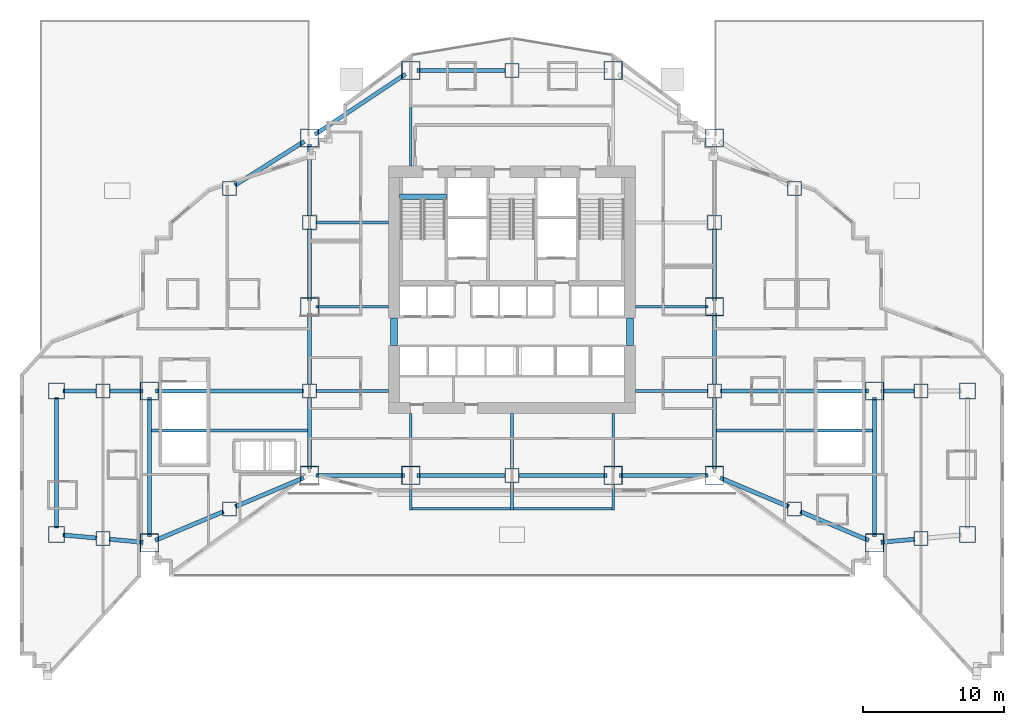
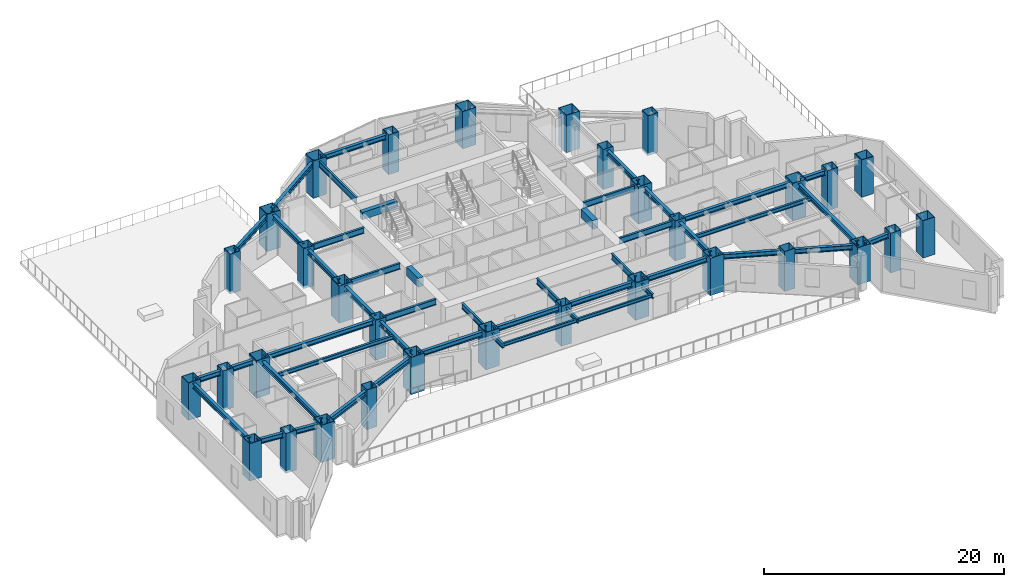
# One storey, part 1 of 20: 48 beams, 32 columns.
"""IFC4 building model written with IfcOpenShell, lengths in metres."""

from ifc_helpers import new_model, si_unit, direction, frame, origin, origin_2d, place, context, subcontext, project, spatial, rectangle, hollow_rectangle, i_section, extrude, material, material_profile, profile_set, type_object, element, save


model = new_model("IFC4")

# Units and contexts
model_context = context("Model", 3, precision=1e-05, world=origin(), true_north=direction((0.0, 1.0)))
body_context = subcontext(model_context, "Body", "Model", "MODEL_VIEW")
ifc_project = project(units=[si_unit("LENGTHUNIT", "METRE"), si_unit("AREAUNIT", "SQUARE_METRE"), si_unit("VOLUMEUNIT", "CUBIC_METRE"), si_unit("PLANEANGLEUNIT", "RADIAN"), si_unit("MASSUNIT", "GRAM", prefix="KILO")], contexts=[model_context])

# Site, building, storey
site_placement = place(None, origin())
site = spatial("IfcSite", under=ifc_project, at=site_placement, CompositionType="ELEMENT")
building_placement = place(site_placement, origin())
building = spatial("IfcBuilding", under=site, at=building_placement, Name="Haolan Belvedere Tower", CompositionType="ELEMENT")
storey_placement = place(building_placement, frame((0.0, 0.0, 24.0)))
storey = spatial("IfcBuildingStorey", under=building, at=storey_placement, Name="L05", CompositionType="ELEMENT", Elevation=24.0)

# Columns
ifc_material_1 = material(Name="Steel Q420GJC", Category="steel")
ifc_material_profile_1 = material_profile(ifc_material_1, hollow_rectangle(XDim=1.0, YDim=1.0, WallThickness=0.0380859375, at=origin_2d()), Name="Steel Q420GJC")
ifc_profile_set_1 = profile_set([ifc_material_profile_1], Name="Steel Q420GJC")
column_type_1 = type_object("IfcColumnType", Name="COL-BOX1000x1000x38", PredefinedType="COLUMN", material=ifc_profile_set_1)
for number, where, z_axis, x_axis, name in (
    (1, (24.0, 27.60009765625, -0.260009765625), (0.0, 0.0, 1.0), (1.0, 0.0, 0.0), "L05 column TC-T3-W1 (BOX1000x1000x38)"),
    (2, (24.0, 39.60009765625, -0.260009765625), (0.0, 0.0, 1.0), (1.0, 0.0, 0.0), "L05 column TC-T3-W2 (BOX1000x1000x38)"),
    (3, (52.800048828125, 27.60009765625, -0.260009765625), (0.0, 0.0, 1.0), (1.0, 0.0, 0.0), "L05 column TC-T3-E1 (BOX1000x1000x38)"),
    (4, (52.800048828125, 39.60009765625, -0.260009765625), (0.0, 0.0, 1.0), (1.0, 0.0, 0.0), "L05 column TC-T3-E2 (BOX1000x1000x38)"),
    (5, (38.39990234375, 21.60009765625, -0.260009765625), (0.0, 0.0, 1.0), (1.0, 0.0, 0.0), "L05 column TC-T3-SM (BOX1000x1000x38)"),
    (6, (38.39990234375, 50.39990234375, -0.260009765625), (0.0, 0.0, 1.0), (1.0, 0.0, 0.0), "L05 column TC-T3-NM (BOX1000x1000x38)"),
    (7, (18.300048828125, 19.199951171875, -0.260009765625), (0.0, 0.0, 1.0), (1.0, 0.0, 0.0), "L05 column TC-T2-S1 (BOX1000x1000x38)"),
    (8, (18.300048828125, 42.0, -0.260009765625), (0.0, 0.0, 1.0), (1.0, 0.0, 0.0), "L05 column TC-T2-N1 (BOX1000x1000x38)"),
    (9, (58.5, 19.199951171875, -0.260009765625), (0.0, 0.0, 1.0), (1.0, 0.0, 0.0), "L05 column TC-T4-S1 (BOX1000x1000x38)"),
    (10, (58.5, 42.0, -0.260009765625), (0.0, 0.0, 1.0), (1.0, 0.0, 0.0), "L05 column TC-T4-N1 (BOX1000x1000x38)"),
    (11, (9.300048828125, 17.10009765625, -0.260009765625), (0.0, 0.0, 1.0), (1.0, 0.0, 0.0), "L05 column TC-T1-M1 (BOX1000x1000x38)"),
    (12, (9.300048828125, 27.60009765625, -0.260009765625), (0.0, 0.0, 1.0), (1.0, 0.0, 0.0), "L05 column TC-T1-M2 (BOX1000x1000x38)"),
    (13, (67.5, 17.10009765625, -0.260009765625), (0.0, 0.0, 1.0), (1.0, 0.0, 0.0), "L05 column TC-T5-M1 (BOX1000x1000x38)"),
    (14, (67.5, 27.60009765625, -0.260009765625), (0.0, 0.0, 1.0), (1.0, 0.0, 0.0), "L05 column TC-T5-M2 (BOX1000x1000x38)"),
):
    element("IfcColumn", number, at=place(storey_placement, frame(where, z_axis=z_axis, x_axis=x_axis)), inside=storey, type_object=column_type_1, Name=name, PredefinedType="COLUMN", context=body_context, shape_type="SweptSolid", body=[
        extrude(hollow_rectangle(XDim=1.0, YDim=1.0, WallThickness=0.0380859375, at=origin_2d()), origin(), (0.0, 0.0, 1.0), 4.06005859375),
    ])
ifc_material_2 = material(Name="Steel Q355B", Category="steel")
ifc_material_profile_2 = material_profile(ifc_material_2, hollow_rectangle(XDim=1.14990234375, YDim=1.14990234375, WallThickness=0.0419921875, at=origin_2d()), Name="Steel Q355B")
ifc_profile_set_2 = profile_set([ifc_material_profile_2], Name="Steel Q355B")
column_type_2 = type_object("IfcColumnType", Name="COL-BOX1150x1150x42", PredefinedType="COLUMN", material=ifc_profile_set_2)
for number, where, z_axis, x_axis, name in (
    (15, (6.0, 17.39990234375, 0.0), (0.0, 0.0, 1.0), (1.0, 0.0, 0.0), "L05 column MC-T1-SW (BOX1150x1150x42)"),
    (16, (6.0, 27.60009765625, 0.0), (0.0, 0.0, 1.0), (1.0, 0.0, 0.0), "L05 column MC-T1-NW (BOX1150x1150x42)"),
    (17, (70.800048828125, 17.39990234375, 0.0), (0.0, 0.0, 1.0), (1.0, 0.0, 0.0), "L05 column MC-T5-SE (BOX1150x1150x42)"),
    (18, (70.800048828125, 27.60009765625, 0.0), (0.0, 0.0, 1.0), (1.0, 0.0, 0.0), "L05 column MC-T5-NE (BOX1150x1150x42)"),
):
    element("IfcColumn", number, at=place(storey_placement, frame(where, z_axis=z_axis, x_axis=x_axis)), inside=storey, type_object=column_type_2, Name=name, PredefinedType="COLUMN", context=body_context, shape_type="SweptSolid", body=[
        extrude(hollow_rectangle(XDim=1.14990234375, YDim=1.14990234375, WallThickness=0.0419921875, at=origin_2d()), origin(), (0.0, 0.0, 1.0), 3.800048828125),
    ])
ifc_material_profile_3 = material_profile(ifc_material_2, hollow_rectangle(XDim=1.300048828125, YDim=1.300048828125, WallThickness=0.048095703125, at=origin_2d()), Name="Steel Q355B")
ifc_profile_set_3 = profile_set([ifc_material_profile_3], Name="Steel Q355B")
column_type_3 = type_object("IfcColumnType", Name="COL-BOX1300x1300x48", PredefinedType="COLUMN", material=ifc_profile_set_3)
for number, where, z_axis, x_axis, name in (
    (19, (24.0, 21.60009765625, 0.0), (0.0, 0.0, 1.0), (1.0, 0.0, 0.0), "L05 column MC-T3-SW (BOX1300x1300x48)"),
    (20, (24.0, 33.60009765625, 0.0), (0.0, 0.0, 1.0), (1.0, 0.0, 0.0), "L05 column MC-T3-MW (BOX1300x1300x48)"),
    (21, (24.0, 45.60009765625, 0.0), (0.0, 0.0, 1.0), (1.0, 0.0, 0.0), "L05 column MC-T3-NW (BOX1300x1300x48)"),
    (22, (52.800048828125, 21.60009765625, 0.0), (0.0, 0.0, 1.0), (1.0, 0.0, 0.0), "L05 column MC-T3-SE (BOX1300x1300x48)"),
    (23, (52.800048828125, 33.60009765625, 0.0), (0.0, 0.0, 1.0), (1.0, 0.0, 0.0), "L05 column MC-T3-ME (BOX1300x1300x48)"),
    (24, (52.800048828125, 45.60009765625, 0.0), (0.0, 0.0, 1.0), (1.0, 0.0, 0.0), "L05 column MC-T3-NE (BOX1300x1300x48)"),
    (25, (31.199951171875, 21.60009765625, 0.0), (0.0, 0.0, 1.0), (1.0, 0.0, 0.0), "L05 column MC-T3-S1 (BOX1300x1300x48)"),
    (26, (45.60009765625, 21.60009765625, 0.0), (0.0, 0.0, 1.0), (1.0, 0.0, 0.0), "L05 column MC-T3-S2 (BOX1300x1300x48)"),
    (27, (31.199951171875, 50.39990234375, 0.0), (0.0, 0.0, 1.0), (1.0, 0.0, 0.0), "L05 column MC-T3-N1 (BOX1300x1300x48)"),
    (28, (45.60009765625, 50.39990234375, 0.0), (0.0, 0.0, 1.0), (1.0, 0.0, 0.0), "L05 column MC-T3-N2 (BOX1300x1300x48)"),
    (29, (12.60009765625, 16.800048828125, 0.0), (0.0, 0.0, 1.0), (1.0, 0.0, 0.0), "L05 column MC-T2-SW (BOX1300x1300x48)"),
    (30, (12.60009765625, 27.60009765625, 0.0), (0.0, 0.0, 1.0), (1.0, 0.0, 0.0), "L05 column MC-T2-MW (BOX1300x1300x48)"),
    (31, (64.199951171875, 16.800048828125, 0.0), (0.0, 0.0, 1.0), (1.0, 0.0, 0.0), "L05 column MC-T4-SE (BOX1300x1300x48)"),
    (32, (64.199951171875, 27.60009765625, 0.0), (0.0, 0.0, 1.0), (1.0, 0.0, 0.0), "L05 column MC-T4-ME (BOX1300x1300x48)"),
):
    element("IfcColumn", number, at=place(storey_placement, frame(where, z_axis=z_axis, x_axis=x_axis)), inside=storey, type_object=column_type_3, Name=name, PredefinedType="COLUMN", context=body_context, shape_type="SweptSolid", body=[
        extrude(hollow_rectangle(XDim=1.300048828125, YDim=1.300048828125, WallThickness=0.048095703125, at=origin_2d()), origin(), (0.0, 0.0, 1.0), 3.800048828125),
    ])

# Beams
ifc_material_profile_4 = material_profile(ifc_material_2, i_section(OverallWidth=0.300048828125, OverallDepth=0.488037109375, WebThickness=0.010986328125, FlangeThickness=0.01806640625, FilletRadius=0.02587890625, at=origin_2d()), Name="Steel Q355B")
ifc_profile_set_4 = profile_set([ifc_material_profile_4], Name="Steel Q355B")
beam_type_1 = type_object("IfcBeamType", Name="BM-HM488x300x11x18", PredefinedType="SPANDREL", material=ifc_profile_set_4)
for number, where, z_axis, x_axis, name in (
    (33, (24.0, 22.050048828125, 3.35595703125), (0.0, 1.0, 0.0), (-1.0, 0.0, 0.0), "L05 spandrel girder MC-T3-SW-TC-T3-W1"),
    (34, (24.0, 28.050048828125, 3.35595703125), (0.0, 1.0, 0.0), (-1.0, 0.0, 0.0), "L05 spandrel girder TC-T3-W1-MC-T3-MW"),
    (35, (24.0, 34.050048828125, 3.35595703125), (0.0, 1.0, 0.0), (-1.0, 0.0, 0.0), "L05 spandrel girder MC-T3-MW-TC-T3-W2"),
    (36, (24.0, 40.050048828125, 3.35595703125), (0.0, 1.0, 0.0), (-1.0, 0.0, 0.0), "L05 spandrel girder TC-T3-W2-MC-T3-NW"),
    (37, (52.800048828125, 22.050048828125, 3.35595703125), (0.0, 1.0, 0.0), (-1.0, 0.0, 0.0), "L05 spandrel girder MC-T3-SE-TC-T3-E1"),
    (38, (52.800048828125, 28.050048828125, 3.35595703125), (0.0, 1.0, 0.0), (-1.0, 0.0, 0.0), "L05 spandrel girder TC-T3-E1-MC-T3-ME"),
    (39, (52.800048828125, 34.050048828125, 3.35595703125), (0.0, 1.0, 0.0), (-1.0, 0.0, 0.0), "L05 spandrel girder MC-T3-ME-TC-T3-E2"),
):
    element("IfcBeam", number, at=place(storey_placement, frame(where, z_axis=z_axis, x_axis=x_axis)), inside=storey, type_object=beam_type_1, Name=name, PredefinedType="SPANDREL", context=body_context, shape_type="SweptSolid", body=[
        extrude(i_section(OverallWidth=0.300048828125, OverallDepth=0.488037109375, WebThickness=0.010986328125, FlangeThickness=0.01806640625, FilletRadius=0.02587890625, at=origin_2d()), origin(), (0.0, 0.0, 1.0), 5.099853515625),
    ])
for number, where, z_axis, x_axis, name in (
    (40, (24.449951171875, 21.60009765625, 3.35595703125), (1.0, 0.0, 0.0), (0.0, 1.0, 0.0), "L05 spandrel girder MC-T3-SW-MC-T3-S1"),
    (41, (31.64990234375, 21.60009765625, 3.35595703125), (1.0, 0.0, 0.0), (0.0, 1.0, 0.0), "L05 spandrel girder MC-T3-S1-TC-T3-SM"),
):
    element("IfcBeam", number, at=place(storey_placement, frame(where, z_axis=z_axis, x_axis=x_axis)), inside=storey, type_object=beam_type_1, Name=name, PredefinedType="SPANDREL", context=body_context, shape_type="SweptSolid", body=[
        extrude(i_section(OverallWidth=0.300048828125, OverallDepth=0.488037109375, WebThickness=0.010986328125, FlangeThickness=0.01806640625, FilletRadius=0.02587890625, at=origin_2d()), origin(), (0.0, 0.0, 1.0), 6.300048828125),
    ])
beam_1_placement = place(storey_placement, frame((38.85009765625, 21.60009765625, 3.35595703125), z_axis=(1.0, 0.0, 0.0), x_axis=(0.0, 1.0, 0.0)))
element("IfcBeam", 42, at=beam_1_placement, inside=storey, type_object=beam_type_1, Name="L05 spandrel girder TC-T3-SM-MC-T3-S2", PredefinedType="SPANDREL", context=body_context, shape_type="SweptSolid", body=[
    extrude(i_section(OverallWidth=0.300048828125, OverallDepth=0.488037109375, WebThickness=0.010986328125, FlangeThickness=0.01806640625, FilletRadius=0.02587890625, at=origin_2d()), origin(), (0.0, 0.0, 1.0), 6.2998046875),
])
beam_2_placement = place(storey_placement, frame((46.050048828125, 21.60009765625, 3.35595703125), z_axis=(1.0, 0.0, 0.0), x_axis=(0.0, 1.0, 0.0)))
element("IfcBeam", 43, at=beam_2_placement, inside=storey, type_object=beam_type_1, Name="L05 spandrel girder MC-T3-S2-MC-T3-SE", PredefinedType="SPANDREL", context=body_context, shape_type="SweptSolid", body=[
    extrude(i_section(OverallWidth=0.300048828125, OverallDepth=0.488037109375, WebThickness=0.010986328125, FlangeThickness=0.01806640625, FilletRadius=0.02587890625, at=origin_2d()), origin(), (0.0, 0.0, 1.0), 6.300048828125),
])
beam_3_placement = place(storey_placement, frame((24.37451171875, 45.849609375, 3.35595703125), z_axis=(0.832050294338, 0.554700196225, 0.0), x_axis=(-0.554700196225, 0.832050294338, 0.0)))
element("IfcBeam", 44, at=beam_3_placement, inside=storey, type_object=beam_type_1, Name="L05 spandrel girder MC-T3-NW-MC-T3-N1", PredefinedType="SPANDREL", context=body_context, shape_type="SweptSolid", body=[
    extrude(i_section(OverallWidth=0.300048828125, OverallDepth=0.488037109375, WebThickness=0.010986328125, FlangeThickness=0.01806640625, FilletRadius=0.02587890625, at=origin_2d()), origin(), (0.0, 0.0, 1.0), 7.75341796875),
])
beam_4_placement = place(storey_placement, frame((31.64990234375, 50.39990234375, 3.35595703125), z_axis=(1.0, 0.0, 0.0), x_axis=(0.0, 1.0, 0.0)))
element("IfcBeam", 45, at=beam_4_placement, inside=storey, type_object=beam_type_1, Name="L05 spandrel girder MC-T3-N1-TC-T3-NM", PredefinedType="SPANDREL", context=body_context, shape_type="SweptSolid", body=[
    extrude(i_section(OverallWidth=0.300048828125, OverallDepth=0.488037109375, WebThickness=0.010986328125, FlangeThickness=0.01806640625, FilletRadius=0.02587890625, at=origin_2d()), origin(), (0.0, 0.0, 1.0), 6.300048828125),
])
beam_5_placement = place(storey_placement, frame((12.60009765625, 17.25, 3.35595703125), z_axis=(0.0, 1.0, 0.0), x_axis=(-1.0, 0.0, 0.0)))
element("IfcBeam", 46, at=beam_5_placement, inside=storey, type_object=beam_type_1, Name="L05 spandrel girder MC-T2-SW-MC-T2-MW", PredefinedType="SPANDREL", context=body_context, shape_type="SweptSolid", body=[
    extrude(i_section(OverallWidth=0.300048828125, OverallDepth=0.488037109375, WebThickness=0.010986328125, FlangeThickness=0.01806640625, FilletRadius=0.02587890625, at=origin_2d()), origin(), (0.0, 0.0, 1.0), 9.89990234375),
])
beam_6_placement = place(storey_placement, frame((13.0146484375, 16.974609375, 3.35595703125), z_axis=(0.921635375138, 0.388057000058, 0.0), x_axis=(-0.388057000058, 0.921635375138, 0.0)))
element("IfcBeam", 47, at=beam_6_placement, inside=storey, type_object=beam_type_1, Name="L05 spandrel girder MC-T2-SW-TC-T2-S1", PredefinedType="SPANDREL", context=body_context, shape_type="SweptSolid", body=[
    extrude(i_section(OverallWidth=0.300048828125, OverallDepth=0.488037109375, WebThickness=0.010986328125, FlangeThickness=0.01806640625, FilletRadius=0.02587890625, at=origin_2d()), origin(), (0.0, 0.0, 1.0), 5.28466796875),
])
beam_7_placement = place(storey_placement, frame((18.71484375, 19.37451171875, 3.35595703125), z_axis=(0.92162841793, 0.388073523014, 0.0), x_axis=(-0.388073523014, 0.92162841793, 0.0)))
element("IfcBeam", 48, at=beam_7_placement, inside=storey, type_object=beam_type_1, Name="L05 spandrel girder TC-T2-S1-MC-T3-SW", PredefinedType="SPANDREL", context=body_context, shape_type="SweptSolid", body=[
    extrude(i_section(OverallWidth=0.300048828125, OverallDepth=0.488037109375, WebThickness=0.010986328125, FlangeThickness=0.01806640625, FilletRadius=0.02587890625, at=origin_2d()), origin(), (0.0, 0.0, 1.0), 5.284423828125),
])
beam_8_placement = place(storey_placement, frame((18.680419921875, 42.240234375, 3.35595703125), z_axis=(0.845497840649, 0.533978839898, 0.0), x_axis=(-0.533978839898, 0.845497840649, 0.0)))
element("IfcBeam", 49, at=beam_8_placement, inside=storey, type_object=beam_type_1, Name="L05 spandrel girder TC-T2-N1-MC-T3-NW", PredefinedType="SPANDREL", context=body_context, shape_type="SweptSolid", body=[
    extrude(i_section(OverallWidth=0.300048828125, OverallDepth=0.488037109375, WebThickness=0.010986328125, FlangeThickness=0.01806640625, FilletRadius=0.02587890625, at=origin_2d()), origin(), (0.0, 0.0, 1.0), 5.841796875),
])
beam_9_placement = place(storey_placement, frame((13.050048828125, 27.60009765625, 3.35595703125), z_axis=(1.0, 0.0, 0.0), x_axis=(0.0, 1.0, 0.0)))
element("IfcBeam", 50, at=beam_9_placement, inside=storey, type_object=beam_type_1, Name="L05 spandrel girder MC-T2-MW-TC-T3-W1", PredefinedType="SPANDREL", context=body_context, shape_type="SweptSolid", body=[
    extrude(i_section(OverallWidth=0.300048828125, OverallDepth=0.488037109375, WebThickness=0.010986328125, FlangeThickness=0.01806640625, FilletRadius=0.02587890625, at=origin_2d()), origin(), (0.0, 0.0, 1.0), 10.5),
])
beam_10_placement = place(storey_placement, frame((64.199951171875, 17.25, 3.35595703125), z_axis=(0.0, 1.0, 0.0), x_axis=(-1.0, 0.0, 0.0)))
element("IfcBeam", 51, at=beam_10_placement, inside=storey, type_object=beam_type_1, Name="L05 spandrel girder MC-T4-SE-MC-T4-ME", PredefinedType="SPANDREL", context=body_context, shape_type="SweptSolid", body=[
    extrude(i_section(OverallWidth=0.300048828125, OverallDepth=0.488037109375, WebThickness=0.010986328125, FlangeThickness=0.01806640625, FilletRadius=0.02587890625, at=origin_2d()), origin(), (0.0, 0.0, 1.0), 9.89990234375),
])
for number, where, z_axis, x_axis, name in (
    (52, (53.21484375, 21.42529296875, 3.35595703125), (0.92162841793, -0.388073523014, 0.0), (0.388073523014, 0.92162841793, 0.0), "L05 spandrel girder MC-T3-SE-TC-T4-S1"),
    (53, (58.914794921875, 19.025390625, 3.35595703125), (0.92162841793, -0.388073523014, 0.0), (0.388073523014, 0.92162841793, 0.0), "L05 spandrel girder TC-T4-S1-MC-T4-SE"),
):
    element("IfcBeam", number, at=place(storey_placement, frame(where, z_axis=z_axis, x_axis=x_axis)), inside=storey, type_object=beam_type_1, Name=name, PredefinedType="SPANDREL", context=body_context, shape_type="SweptSolid", body=[
        extrude(i_section(OverallWidth=0.300048828125, OverallDepth=0.488037109375, WebThickness=0.010986328125, FlangeThickness=0.01806640625, FilletRadius=0.02587890625, at=origin_2d()), origin(), (0.0, 0.0, 1.0), 5.284423828125),
    ])
beam_11_placement = place(storey_placement, frame((53.25, 27.60009765625, 3.35595703125), z_axis=(1.0, 0.0, 0.0), x_axis=(0.0, 1.0, 0.0)))
element("IfcBeam", 54, at=beam_11_placement, inside=storey, type_object=beam_type_1, Name="L05 spandrel girder TC-T3-E1-MC-T4-ME", PredefinedType="SPANDREL", context=body_context, shape_type="SweptSolid", body=[
    extrude(i_section(OverallWidth=0.300048828125, OverallDepth=0.488037109375, WebThickness=0.010986328125, FlangeThickness=0.01806640625, FilletRadius=0.02587890625, at=origin_2d()), origin(), (0.0, 0.0, 1.0), 10.5),
])
beam_12_placement = place(storey_placement, frame((6.0, 17.85009765625, 3.35595703125), z_axis=(0.0, 1.0, 0.0), x_axis=(-1.0, 0.0, 0.0)))
element("IfcBeam", 55, at=beam_12_placement, inside=storey, type_object=beam_type_1, Name="L05 spandrel girder MC-T1-SW-MC-T1-NW", PredefinedType="SPANDREL", context=body_context, shape_type="SweptSolid", body=[
    extrude(i_section(OverallWidth=0.300048828125, OverallDepth=0.488037109375, WebThickness=0.010986328125, FlangeThickness=0.01806640625, FilletRadius=0.02587890625, at=origin_2d()), origin(), (0.0, 0.0, 1.0), 9.2998046875),
])
beam_13_placement = place(storey_placement, frame((6.4482421875, 17.359375, 3.35595703125), z_axis=(0.995884080761, -0.090636072764, 0.0), x_axis=(0.090636072764, 0.995884080761, 0.0)))
element("IfcBeam", 56, at=beam_13_placement, inside=storey, type_object=beam_type_1, Name="L05 spandrel girder MC-T1-SW-TC-T1-M1", PredefinedType="SPANDREL", context=body_context, shape_type="SweptSolid", body=[
    extrude(i_section(OverallWidth=0.300048828125, OverallDepth=0.488037109375, WebThickness=0.010986328125, FlangeThickness=0.01806640625, FilletRadius=0.02587890625, at=origin_2d()), origin(), (0.0, 0.0, 1.0), 2.41357421875),
])
beam_14_placement = place(storey_placement, frame((9.748046875, 17.059326171875, 3.35595703125), z_axis=(0.9958940355, -0.090526626221, 0.0), x_axis=(0.090526626221, 0.9958940355, 0.0)))
element("IfcBeam", 57, at=beam_14_placement, inside=storey, type_object=beam_type_1, Name="L05 spandrel girder TC-T1-M1-MC-T2-SW", PredefinedType="SPANDREL", context=body_context, shape_type="SweptSolid", body=[
    extrude(i_section(OverallWidth=0.300048828125, OverallDepth=0.488037109375, WebThickness=0.010986328125, FlangeThickness=0.01806640625, FilletRadius=0.02587890625, at=origin_2d()), origin(), (0.0, 0.0, 1.0), 2.413818359375),
])
beam_15_placement = place(storey_placement, frame((6.449951171875, 27.60009765625, 3.35595703125), z_axis=(1.0, 0.0, 0.0), x_axis=(0.0, 1.0, 0.0)))
element("IfcBeam", 58, at=beam_15_placement, inside=storey, type_object=beam_type_1, Name="L05 spandrel girder MC-T1-NW-TC-T1-M2", PredefinedType="SPANDREL", context=body_context, shape_type="SweptSolid", body=[
    extrude(i_section(OverallWidth=0.300048828125, OverallDepth=0.488037109375, WebThickness=0.010986328125, FlangeThickness=0.01806640625, FilletRadius=0.02587890625, at=origin_2d()), origin(), (0.0, 0.0, 1.0), 2.400146484375),
])
beam_16_placement = place(storey_placement, frame((9.75, 27.60009765625, 3.35595703125), z_axis=(1.0, 0.0, 0.0), x_axis=(0.0, 1.0, 0.0)))
element("IfcBeam", 59, at=beam_16_placement, inside=storey, type_object=beam_type_1, Name="L05 spandrel girder TC-T1-M2-MC-T2-MW", PredefinedType="SPANDREL", context=body_context, shape_type="SweptSolid", body=[
    extrude(i_section(OverallWidth=0.300048828125, OverallDepth=0.488037109375, WebThickness=0.010986328125, FlangeThickness=0.01806640625, FilletRadius=0.02587890625, at=origin_2d()), origin(), (0.0, 0.0, 1.0), 2.39990234375),
])
beam_17_placement = place(storey_placement, frame((64.648193359375, 16.8408203125, 3.35595703125), z_axis=(0.995893206468, 0.090535746043, 0.0), x_axis=(-0.090535746043, 0.995893206468, 0.0)))
element("IfcBeam", 60, at=beam_17_placement, inside=storey, type_object=beam_type_1, Name="L05 spandrel girder MC-T4-SE-TC-T5-M1", PredefinedType="SPANDREL", context=body_context, shape_type="SweptSolid", body=[
    extrude(i_section(OverallWidth=0.300048828125, OverallDepth=0.488037109375, WebThickness=0.010986328125, FlangeThickness=0.01806640625, FilletRadius=0.02587890625, at=origin_2d()), origin(), (0.0, 0.0, 1.0), 2.41357421875),
])
beam_18_placement = place(storey_placement, frame((64.64990234375, 27.60009765625, 3.35595703125), z_axis=(1.0, 0.0, 0.0), x_axis=(0.0, 1.0, 0.0)))
element("IfcBeam", 61, at=beam_18_placement, inside=storey, type_object=beam_type_1, Name="L05 spandrel girder MC-T4-ME-TC-T5-M2", PredefinedType="SPANDREL", context=body_context, shape_type="SweptSolid", body=[
    extrude(i_section(OverallWidth=0.300048828125, OverallDepth=0.488037109375, WebThickness=0.010986328125, FlangeThickness=0.01806640625, FilletRadius=0.02587890625, at=origin_2d()), origin(), (0.0, 0.0, 1.0), 2.400146484375),
])
ifc_material_profile_5 = material_profile(ifc_material_2, i_section(OverallWidth=0.175048828125, OverallDepth=0.35009765625, WebThickness=0.007080078125, FlangeThickness=0.010986328125, FilletRadius=0.012939453125, at=origin_2d()), Name="Steel Q355B")
ifc_profile_set_5 = profile_set([ifc_material_profile_5], Name="Steel Q355B")
beam_type_2 = type_object("IfcBeamType", Name="BM-HN350x175x7x11", PredefinedType="JOIST", material=ifc_profile_set_5)
for number, where, z_axis, x_axis, name in (
    (62, (31.300048828125, 19.239990234375, 3.39501953125), (1.0, 0.0, 0.0), (0.0, 1.0, 0.0), "L06 tree-balcony front trimmer beam 1"),
    (63, (38.5, 19.239990234375, 3.39501953125), (1.0, 0.0, 0.0), (0.0, 1.0, 0.0), "L06 tree-balcony front trimmer beam 2"),
):
    element("IfcBeam", number, at=place(storey_placement, frame(where, z_axis=z_axis, x_axis=x_axis)), inside=storey, type_object=beam_type_2, Name=name, PredefinedType="BEAM", context=body_context, shape_type="SweptSolid", body=[
        extrude(i_section(OverallWidth=0.175048828125, OverallDepth=0.35009765625, WebThickness=0.007080078125, FlangeThickness=0.010986328125, FilletRadius=0.012939453125, at=origin_2d()), origin(), (0.0, 0.0, 1.0), 7.0),
    ])
ifc_material_profile_6 = material_profile(ifc_material_2, i_section(OverallWidth=0.199951171875, OverallDepth=0.39990234375, WebThickness=0.008056640625, FlangeThickness=0.012939453125, FilletRadius=0.01611328125, at=origin_2d()), Name="Steel Q355B")
ifc_profile_set_6 = profile_set([ifc_material_profile_6], Name="Steel Q355B")
beam_type_3 = type_object("IfcBeamType", Name="BM-HN400x200x8x13", PredefinedType="JOIST", material=ifc_profile_set_6)
for number, where, z_axis, x_axis, name in (
    (64, (12.75, 24.800048828125, 3.39990234375), (1.0, 0.0, 0.0), (0.0, 1.0, 0.0), "L05 west wing floor joist 1"),
    (65, (52.949951171875, 24.800048828125, 3.39990234375), (1.0, 0.0, 0.0), (0.0, 1.0, 0.0), "L05 east wing floor joist 1"),
):
    element("IfcBeam", number, at=place(storey_placement, frame(where, z_axis=z_axis, x_axis=x_axis)), inside=storey, type_object=beam_type_3, Name=name, PredefinedType="JOIST", context=body_context, shape_type="SweptSolid", body=[
        extrude(i_section(OverallWidth=0.199951171875, OverallDepth=0.39990234375, WebThickness=0.008056640625, FlangeThickness=0.012939453125, FilletRadius=0.01611328125, at=origin_2d()), origin(), (0.0, 0.0, 1.0), 11.10009765625),
    ])
ifc_material_profile_7 = material_profile(ifc_material_2, i_section(OverallWidth=0.199951171875, OverallDepth=0.449951171875, WebThickness=0.009033203125, FlangeThickness=0.013916015625, FilletRadius=0.01611328125, at=origin_2d()), Name="Steel Q355B")
ifc_profile_set_7 = profile_set([ifc_material_profile_7], Name="Steel Q355B")
beam_type_4 = type_object("IfcBeamType", Name="BM-HN450x200x9x14", PredefinedType="BEAM", material=ifc_profile_set_7)
beam_19_placement = place(storey_placement, frame((31.199951171875, 20.949951171875, 3.344970703125), z_axis=(0.0, -1.0, 0.0), x_axis=(1.0, 0.0, 0.0)))
element("IfcBeam", 66, at=beam_19_placement, inside=storey, type_object=beam_type_4, Name="L06 tree-balcony column cantilever MC-T3-S1", PredefinedType="BEAM", context=body_context, shape_type="SweptSolid", body=[
    extrude(i_section(OverallWidth=0.199951171875, OverallDepth=0.449951171875, WebThickness=0.009033203125, FlangeThickness=0.013916015625, FilletRadius=0.01611328125, at=origin_2d()), origin(), (0.0, 0.0, 1.0), 1.81005859375),
])
beam_20_placement = place(storey_placement, frame((38.39990234375, 21.10009765625, 3.344970703125), z_axis=(0.0, -1.0, 0.0), x_axis=(1.0, 0.0, 0.0)))
element("IfcBeam", 67, at=beam_20_placement, inside=storey, type_object=beam_type_4, Name="L06 tree-balcony column cantilever TC-T3-SM", PredefinedType="BEAM", context=body_context, shape_type="SweptSolid", body=[
    extrude(i_section(OverallWidth=0.199951171875, OverallDepth=0.449951171875, WebThickness=0.009033203125, FlangeThickness=0.013916015625, FilletRadius=0.01611328125, at=origin_2d()), origin(), (0.0, 0.0, 1.0), 1.960205078125),
])
beam_21_placement = place(storey_placement, frame((45.60009765625, 20.949951171875, 3.344970703125), z_axis=(0.0, -1.0, 0.0), x_axis=(1.0, 0.0, 0.0)))
element("IfcBeam", 68, at=beam_21_placement, inside=storey, type_object=beam_type_4, Name="L06 tree-balcony column cantilever MC-T3-S2", PredefinedType="BEAM", context=body_context, shape_type="SweptSolid", body=[
    extrude(i_section(OverallWidth=0.199951171875, OverallDepth=0.449951171875, WebThickness=0.009033203125, FlangeThickness=0.013916015625, FilletRadius=0.01611328125, at=origin_2d()), origin(), (0.0, 0.0, 1.0), 1.81005859375),
])
ifc_material_profile_8 = material_profile(ifc_material_2, i_section(OverallWidth=0.199951171875, OverallDepth=0.60009765625, WebThickness=0.010986328125, FlangeThickness=0.01708984375, FilletRadius=0.02197265625, at=origin_2d()), Name="Steel Q355B")
ifc_profile_set_8 = profile_set([ifc_material_profile_8], Name="Steel Q355B")
beam_type_5 = type_object("IfcBeamType", Name="BM-HN600x200x11x17", PredefinedType="BEAM", material=ifc_profile_set_8)
for number, where, z_axis, x_axis, name in (
    (69, (24.449951171875, 33.60009765625, 3.300048828125), (1.0, 0.0, 0.0), (0.0, 1.0, 0.0), "L05 core tie beam from MC-T3-MW"),
    (70, (24.449951171875, 27.60009765625, 3.300048828125), (1.0, 0.0, 0.0), (0.0, 1.0, 0.0), "L05 core tie beam from TC-T3-W1"),
    (71, (24.449951171875, 39.60009765625, 3.300048828125), (1.0, 0.0, 0.0), (0.0, 1.0, 0.0), "L05 core tie beam from TC-T3-W2"),
    (72, (52.35009765625, 33.60009765625, 3.300048828125), (-1.0, 0.0, 0.0), (0.0, -1.0, 0.0), "L05 core tie beam from MC-T3-ME"),
    (73, (52.35009765625, 27.60009765625, 3.300048828125), (-1.0, 0.0, 0.0), (0.0, -1.0, 0.0), "L05 core tie beam from TC-T3-E1"),
):
    element("IfcBeam", number, at=place(storey_placement, frame(where, z_axis=z_axis, x_axis=x_axis)), inside=storey, type_object=beam_type_5, Name=name, PredefinedType="BEAM", context=body_context, shape_type="SweptSolid", body=[
        extrude(i_section(OverallWidth=0.199951171875, OverallDepth=0.60009765625, WebThickness=0.010986328125, FlangeThickness=0.01708984375, FilletRadius=0.02197265625, at=origin_2d()), origin(), (0.0, 0.0, 1.0), 5.150146484375),
    ])
for number, where, z_axis, x_axis, name in (
    (74, (31.199951171875, 22.050048828125, 3.300048828125), (0.0, 1.0, 0.0), (-1.0, 0.0, 0.0), "L05 core tie beam from MC-T3-S1"),
    (75, (38.39990234375, 22.050048828125, 3.300048828125), (0.0, 1.0, 0.0), (-1.0, 0.0, 0.0), "L05 core tie beam from TC-T3-SM"),
    (76, (45.60009765625, 22.050048828125, 3.300048828125), (0.0, 1.0, 0.0), (-1.0, 0.0, 0.0), "L05 core tie beam from MC-T3-S2"),
):
    element("IfcBeam", number, at=place(storey_placement, frame(where, z_axis=z_axis, x_axis=x_axis)), inside=storey, type_object=beam_type_5, Name=name, PredefinedType="BEAM", context=body_context, shape_type="SweptSolid", body=[
        extrude(i_section(OverallWidth=0.199951171875, OverallDepth=0.60009765625, WebThickness=0.010986328125, FlangeThickness=0.01708984375, FilletRadius=0.02197265625, at=origin_2d()), origin(), (0.0, 0.0, 1.0), 3.949951171875),
    ])
beam_22_placement = place(storey_placement, frame((31.199951171875, 49.949951171875, 3.300048828125), z_axis=(0.0, -1.0, 0.0), x_axis=(1.0, 0.0, 0.0)))
element("IfcBeam", 77, at=beam_22_placement, inside=storey, type_object=beam_type_5, Name="L05 core tie beam from MC-T3-N1", PredefinedType="BEAM", context=body_context, shape_type="SweptSolid", body=[
    extrude(i_section(OverallWidth=0.199951171875, OverallDepth=0.60009765625, WebThickness=0.010986328125, FlangeThickness=0.01708984375, FilletRadius=0.02197265625, at=origin_2d()), origin(), (0.0, 0.0, 1.0), 6.349853515625),
])
ifc_material_3 = material(Name="Concrete C50/60", Category="concrete")
ifc_material_profile_9 = material_profile(ifc_material_3, rectangle(XDim=0.39990234375, YDim=0.75, at=origin_2d()), Name="Concrete C50/60")
ifc_profile_set_9 = profile_set([ifc_material_profile_9], Name="Concrete C50/60")
beam_type_6 = type_object("IfcBeamType", Name="BM-RC400x750", PredefinedType="T_BEAM", material=ifc_profile_set_9)
beam_23_placement = place(storey_placement, frame((30.3798828125, 41.429931640625, 3.425048828125), z_axis=(1.0, 0.0, 0.0), x_axis=(0.0, 1.0, 0.0)))
element("IfcBeam", 78, at=beam_23_placement, inside=storey, type_object=beam_type_6, Name="L06 stair ST1 RC header trimmer beam", PredefinedType="BEAM", context=body_context, shape_type="SweptSolid", body=[
    extrude(rectangle(XDim=0.39990234375, YDim=0.75, at=origin_2d()), origin(), (0.0, 0.0, 1.0), 3.360107421875),
])
ifc_material_4 = material(Name="Concrete C60/75", Category="concrete")
ifc_material_profile_10 = material_profile(ifc_material_4, rectangle(XDim=0.5, YDim=0.89990234375, at=origin_2d()), Name="Concrete C60/75")
ifc_profile_set_10 = profile_set([ifc_material_profile_10], Name="Concrete C60/75")
beam_type_7 = type_object("IfcBeamType", Name="BM-RC500x900", PredefinedType="LINTEL", material=ifc_profile_set_10)
for number, where, z_axis, x_axis, name in (
    (79, (30.0, 30.85009765625, 3.14990234375), (0.0, 1.0, 0.0), (-1.0, 0.0, 0.0), "L05 west core coupling beam CB-01"),
    (80, (46.800048828125, 30.85009765625, 3.14990234375), (0.0, 1.0, 0.0), (-1.0, 0.0, 0.0), "L05 east core coupling beam CB-01"),
):
    element("IfcBeam", number, at=place(storey_placement, frame(where, z_axis=z_axis, x_axis=x_axis)), inside=storey, type_object=beam_type_7, Name=name, PredefinedType="LINTEL", context=body_context, shape_type="SweptSolid", body=[
        extrude(rectangle(XDim=0.5, YDim=0.89990234375, at=origin_2d()), origin(), (0.0, 0.0, 1.0), 1.949951171875),
    ])

save(model, "model.ifc")
